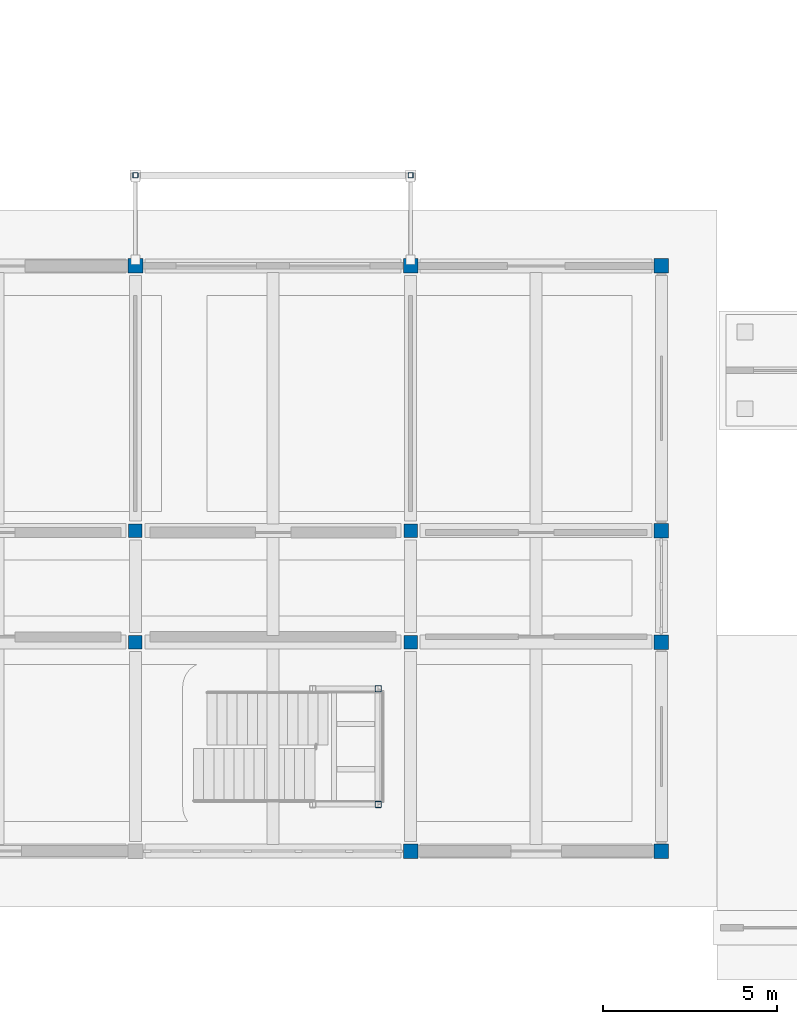
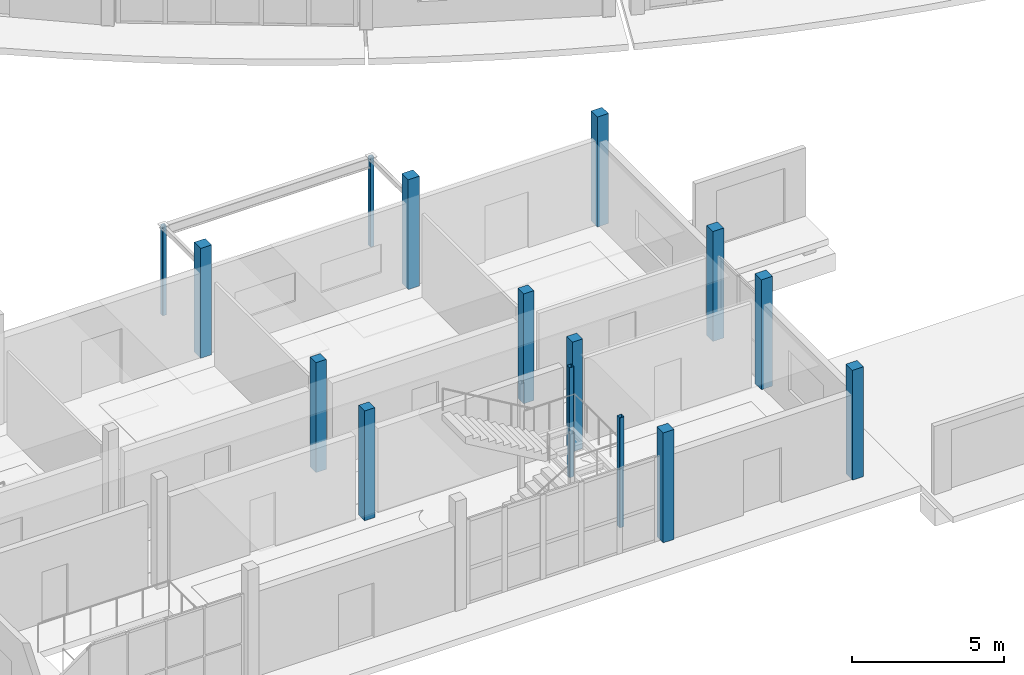
# One storey, part 3 of 92: 15 columns.
"""IFC4 building model written with IfcOpenShell, lengths in metres."""

from ifc_helpers import new_model, si_unit, direction, frame, origin, origin_2d, place, context, subcontext, project, spatial, rectangle, hollow_rectangle, extrude, material, material_profile, profile_set, type_object, element, save


model = new_model("IFC4")

# Units and contexts
model_context = context("Model", 3, precision=1e-05, world=origin(), true_north=direction((0.0, 1.0)))
body_context = subcontext(model_context, "Body", "Model", "MODEL_VIEW")
ifc_project = project(units=[si_unit("LENGTHUNIT", "METRE"), si_unit("AREAUNIT", "SQUARE_METRE"), si_unit("VOLUMEUNIT", "CUBIC_METRE"), si_unit("PLANEANGLEUNIT", "RADIAN"), si_unit("MASSUNIT", "GRAM", prefix="KILO")], contexts=[model_context])

# Site, building, storey
site_placement = place(None, origin())
site = spatial("IfcSite", under=ifc_project, at=site_placement, CompositionType="ELEMENT")
building_placement = place(site_placement, origin())
building = spatial("IfcBuilding", under=site, at=building_placement, Name="Caldaven Crescent School", CompositionType="ELEMENT")
storey_placement = place(building_placement, origin())
storey = spatial("IfcBuildingStorey", under=building, at=storey_placement, Name="L00", CompositionType="ELEMENT", Elevation=0.0)

# Columns
ifc_material_1 = material(Name="Glulam MLE24h (GL28h)", Category="wood")
ifc_material_profile_1 = material_profile(ifc_material_1, rectangle(XDim=0.389892578125, YDim=0.389892578125, at=origin_2d()), Name="MLE 390x390")
ifc_profile_set_1 = profile_set([ifc_material_profile_1], Name="Glulam MLE24h (GL28h)")
column_type_1 = type_object("IfcColumnType", Name="COL-GL39", PredefinedType="COLUMN", material=ifc_profile_set_1)
for number, where, z_axis, x_axis, name in (
    (1, (41.300048828125, 10.199951171875, 0.0), (0.0, 0.0, 1.0), (1.0, 0.0, 0.0), "COL-V4S-L00-2-1"),
    (2, (41.300048828125, 13.39990234375, 0.0), (0.0, 0.0, 1.0), (1.0, 0.0, 0.0), "COL-V4S-L00-2-2"),
    (3, (49.199951171875, 10.199951171875, 0.0), (0.0, 0.0, 1.0), (1.0, 0.0, 0.0), "COL-V4S-L00-3-1"),
    (4, (49.199951171875, 13.39990234375, 0.0), (0.0, 0.0, 1.0), (1.0, 0.0, 0.0), "COL-V4S-L00-3-2"),
):
    element("IfcColumn", number, at=place(storey_placement, frame(where, z_axis=z_axis, x_axis=x_axis)), inside=storey, type_object=column_type_1, Name=name, PredefinedType="COLUMN", context=body_context, shape_type="SweptSolid", body=[
        extrude(rectangle(XDim=0.389892578125, YDim=0.389892578125, at=origin_2d()), origin(), (0.0, 0.0, 1.0), 4.419921875),
    ])
ifc_material_profile_2 = material_profile(ifc_material_1, rectangle(XDim=0.419921875, YDim=0.419921875, at=origin_2d()), Name="MLE 420x420")
ifc_profile_set_2 = profile_set([ifc_material_profile_2], Name="Glulam MLE24h (GL28h)")
column_type_2 = type_object("IfcColumnType", Name="COL-GL42", PredefinedType="COLUMN", material=ifc_profile_set_2)
for number, where, z_axis, x_axis, name in (
    (5, (41.300048828125, 21.0, 0.0), (0.0, 0.0, 1.0), (1.0, 0.0, 0.0), "COL-V4S-L00-2-3"),
    (6, (49.199951171875, 4.199951171875, 0.0), (0.0, 0.0, 1.0), (1.0, 0.0, 0.0), "COL-V4S-L00-3-0"),
    (7, (49.199951171875, 21.0, 0.0), (0.0, 0.0, 1.0), (1.0, 0.0, 0.0), "COL-V4S-L00-3-3"),
    (8, (56.39990234375, 4.199951171875, 0.0), (0.0, 0.0, 1.0), (1.0, 0.0, 0.0), "COL-V4S-L00-4-0"),
    (9, (56.39990234375, 10.199951171875, 0.0), (0.0, 0.0, 1.0), (1.0, 0.0, 0.0), "COL-V4S-L00-4-1"),
    (10, (56.39990234375, 13.39990234375, 0.0), (0.0, 0.0, 1.0), (1.0, 0.0, 0.0), "COL-V4S-L00-4-2"),
    (11, (56.39990234375, 21.0, 0.0), (0.0, 0.0, 1.0), (1.0, 0.0, 0.0), "COL-V4S-L00-4-3"),
):
    element("IfcColumn", number, at=place(storey_placement, frame(where, z_axis=z_axis, x_axis=x_axis)), inside=storey, type_object=column_type_2, Name=name, PredefinedType="COLUMN", context=body_context, shape_type="SweptSolid", body=[
        extrude(rectangle(XDim=0.419921875, YDim=0.419921875, at=origin_2d()), origin(), (0.0, 0.0, 1.0), 4.419921875),
    ])
ifc_material_2 = material(Name="Steel ASTM A572 Grade 50", Category="steel")
ifc_material_profile_3 = material_profile(ifc_material_2, hollow_rectangle(XDim=0.14990234375, YDim=0.14990234375, WallThickness=0.008056640625, InnerFilletRadius=0.008056640625, OuterFilletRadius=0.01611328125, at=origin_2d()), Name="HSS 150x150x8")
ifc_profile_set_3 = profile_set([ifc_material_profile_3], Name="Steel ASTM A572 Grade 50")
column_type_3 = type_object("IfcColumnType", Name="COL-HS15", PredefinedType="COLUMN", material=ifc_profile_set_3)
for number, where, z_axis, x_axis, name in (
    (12, (41.300048828125, 23.60009765625, 0.0), (0.0, 0.0, 1.0), (1.0, 0.0, 0.0), "COL-CAN-3-W-L00"),
    (13, (49.199951171875, 23.60009765625, 0.0), (0.0, 0.0, 1.0), (1.0, 0.0, 0.0), "COL-CAN-3-E-L00"),
):
    element("IfcColumn", number, at=place(storey_placement, frame(where, z_axis=z_axis, x_axis=x_axis)), inside=storey, type_object=column_type_3, Name=name, PredefinedType="COLUMN", context=body_context, shape_type="SweptSolid", body=[
        extrude(hollow_rectangle(XDim=0.14990234375, YDim=0.14990234375, WallThickness=0.008056640625, InnerFilletRadius=0.008056640625, OuterFilletRadius=0.01611328125, at=origin_2d()), origin(), (0.0, 0.0, 1.0), 3.60009765625),
    ])
ifc_material_profile_4 = material_profile(ifc_material_2, hollow_rectangle(XDim=0.179931640625, YDim=0.179931640625, WallThickness=0.010009765625, InnerFilletRadius=0.010009765625, OuterFilletRadius=0.02001953125, at=origin_2d()), Name="HSS 180x180x10")
ifc_profile_set_4 = profile_set([ifc_material_profile_4], Name="Steel ASTM A572 Grade 50")
column_type_4 = type_object("IfcColumnType", Name="COL-HS18", PredefinedType="COLUMN", material=ifc_profile_set_4)
for number, where, z_axis, x_axis, name in (
    (14, (48.27001953125, 5.5400390625, 0.0), (0.0, 0.0, 1.0), (1.0, 0.0, 0.0), "COL-STPOST-STV4S-L00-C"),
    (15, (48.27001953125, 8.860107421875, 0.0), (0.0, 0.0, 1.0), (1.0, 0.0, 0.0), "COL-STPOST-STV4S-L00-D"),
):
    element("IfcColumn", number, at=place(storey_placement, frame(where, z_axis=z_axis, x_axis=x_axis)), inside=storey, type_object=column_type_4, Name=name, PredefinedType="COLUMN", context=body_context, shape_type="SweptSolid", body=[
        extrude(hollow_rectangle(XDim=0.179931640625, YDim=0.179931640625, WallThickness=0.010009765625, InnerFilletRadius=0.010009765625, OuterFilletRadius=0.02001953125, at=origin_2d()), origin(), (0.0, 0.0, 1.0), 4.419921875),
    ])

save(model, "model.ifc")
